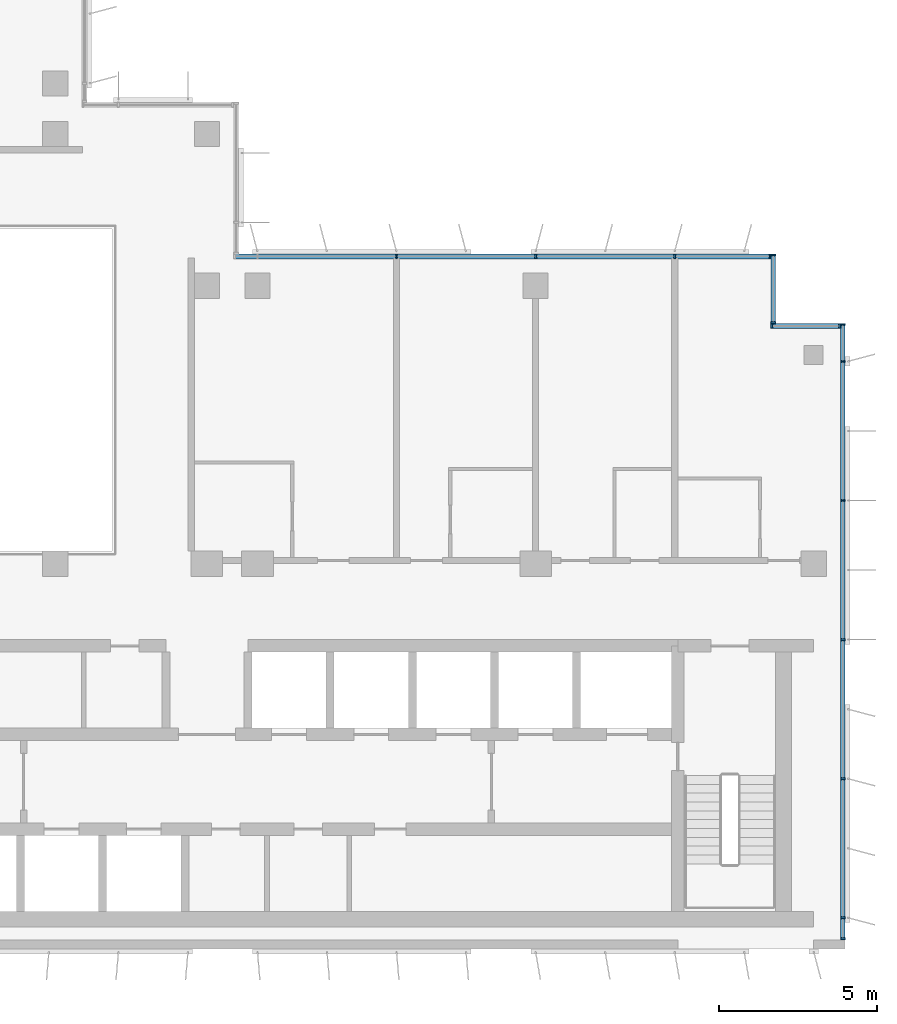
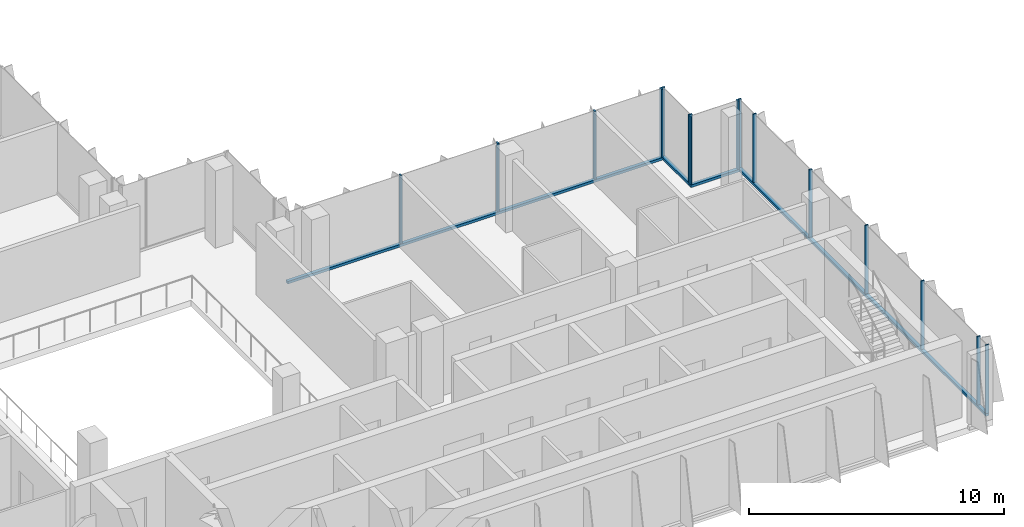
# One storey, part 3 of 15: 19 members, 4 elements without a shape of their own.
"""IFC4 building model written with IfcOpenShell, lengths in metres."""

from ifc_helpers import new_model, si_unit, direction, frame, origin, origin_2d, place, context, subcontext, project, spatial, rectangle, extrude, source, transform, mapped, material, material_profile, profile_set, type_object, element, aggregate, save


model = new_model("IFC4")

# Units and contexts
model_context = context("Model", 3, precision=1e-05, world=origin(), true_north=direction((0.0, 1.0)))
body_context = subcontext(model_context, "Body", "Model", "MODEL_VIEW")
ifc_project = project(units=[si_unit("LENGTHUNIT", "METRE"), si_unit("AREAUNIT", "SQUARE_METRE"), si_unit("VOLUMEUNIT", "CUBIC_METRE"), si_unit("PLANEANGLEUNIT", "RADIAN"), si_unit("MASSUNIT", "GRAM", prefix="KILO")], contexts=[model_context])

# Site, building, storey
site_placement = place(None, origin())
site = spatial("IfcSite", under=ifc_project, at=site_placement, CompositionType="ELEMENT")
building_placement = place(site_placement, origin())
building = spatial("IfcBuilding", under=site, at=building_placement, Name="Kemantara Hotel Tower", CompositionType="ELEMENT")
storey_placement = place(building_placement, frame((0.0, 0.0, 275.89990234375)))
storey = spatial("IfcBuildingStorey", under=building, at=storey_placement, Name="L69", CompositionType="ELEMENT", Elevation=275.89990234375)

# Curtain wall, member
ifc_material_1 = material(Name="Low-E tinted double insulated glass 36 mm", Category="glass")
curtain_wall_type = type_object("IfcCurtainWallType", Name="TOWER CURTAIN WALL, FRONT FACES", PredefinedType="USERDEFINED", material=ifc_material_1)
curtain_wall_1_placement = place(storey_placement, origin())
curtain_wall_1 = element("IfcCurtainWall", 1, at=curtain_wall_1_placement, inside=storey, type_object=curtain_wall_type, Name="CW4 L69 T4-R09-1", ObjectType="TOWER CURTAIN WALL, FRONT FACES", PredefinedType="USERDEFINED")
ifc_material_2 = material(Name="Aluminium 6063-T6 bronze anodised", Category="aluminium")
ifc_material_profile_1 = material_profile(ifc_material_2, rectangle(XDim=0.14990234375, YDim=0.1201171875, at=origin_2d()), Name="TOWER CURTAIN WALL, FRONT FACES TRANSOM")
ifc_profile_set_1 = profile_set([ifc_material_profile_1], Name="Aluminium 6063-T6 bronze anodised")
member_type_1 = type_object("IfcMemberType", Name="TOWER CURTAIN WALL, FRONT FACES TRANSOM", PredefinedType="USERDEFINED", material=ifc_profile_set_1)
member_1_placement = place(storey_placement, frame((45.925048828125, 0.300048828125, 0.06005859375), z_axis=(0.0, 1.0, 0.0), x_axis=(-1.0, 0.0, 0.0)))
member_1 = element("IfcMember", 2, at=member_1_placement, type_object=member_type_1, Name="CW4 sill transom T4-R09-1", ObjectType="TRANSOM", PredefinedType="USERDEFINED", context=body_context, shape_type="SweptSolid", body=[
    extrude(rectangle(XDim=0.14990234375, YDim=0.1201171875, at=origin_2d()), origin(), (0.0, 0.0, 1.0), 19.5),
])

curtain_wall_2_placement = place(storey_placement, origin())
curtain_wall_2 = element("IfcCurtainWall", 3, at=curtain_wall_2_placement, inside=storey, type_object=curtain_wall_type, Name="CW4 L69 T4-R12-1", ObjectType="TOWER CURTAIN WALL, FRONT FACES", PredefinedType="USERDEFINED")
member_2_placement = place(storey_placement, frame((43.64990234375, 21.925048828125, 0.06005859375), z_axis=(-1.0, 0.0, 0.0), x_axis=(0.0, -1.0, 0.0)))
member_2 = element("IfcMember", 4, at=member_2_placement, type_object=member_type_1, Name="CW4 sill transom T4-R12-1", ObjectType="TRANSOM", PredefinedType="USERDEFINED", context=body_context, shape_type="SweptSolid", body=[
    extrude(rectangle(XDim=0.14990234375, YDim=0.1201171875, at=origin_2d()), origin(), (0.0, 0.0, 1.0), 17.0),
])

curtain_wall_3_placement = place(storey_placement, origin())
curtain_wall_3 = element("IfcCurtainWall", 5, at=curtain_wall_3_placement, inside=storey, type_object=curtain_wall_type, Name="CW4 L69 T4-R10-1", ObjectType="TOWER CURTAIN WALL, FRONT FACES", PredefinedType="USERDEFINED")
member_3_placement = place(storey_placement, frame((45.85009765625, 19.72509765625, 0.06005859375), z_axis=(-1.0, 0.0, 0.0), x_axis=(0.0, -1.0, 0.0)))
member_3 = element("IfcMember", 6, at=member_3_placement, type_object=member_type_1, Name="CW4 sill transom T4-R10-1", ObjectType="TRANSOM", PredefinedType="USERDEFINED", context=body_context, shape_type="SweptSolid", body=[
    extrude(rectangle(XDim=0.14990234375, YDim=0.1201171875, at=origin_2d()), origin(), (0.0, 0.0, 1.0), 2.2001953125),
])

curtain_wall_4_placement = place(storey_placement, origin())
curtain_wall_4 = element("IfcCurtainWall", 7, at=curtain_wall_4_placement, inside=storey, type_object=curtain_wall_type, Name="CW4 L69 T4-R11-1", ObjectType="TOWER CURTAIN WALL, FRONT FACES", PredefinedType="USERDEFINED")
member_4_placement = place(storey_placement, frame((43.72509765625, 19.800048828125, 0.06005859375), z_axis=(0.0, 1.0, 0.0), x_axis=(-1.0, 0.0, 0.0)))
member_4 = element("IfcMember", 8, at=member_4_placement, type_object=member_type_1, Name="CW4 sill transom T4-R11-1", ObjectType="TRANSOM", PredefinedType="USERDEFINED", context=body_context, shape_type="SweptSolid", body=[
    extrude(rectangle(XDim=0.14990234375, YDim=0.1201171875, at=origin_2d()), origin(), (0.0, 0.0, 1.0), 2.199951171875),
])

# Member
ifc_material_profile_2 = material_profile(ifc_material_2, rectangle(XDim=0.14990234375, YDim=0.06005859375, at=origin_2d()), Name="TOWER CURTAIN WALL, FRONT FACES MULLION")
ifc_profile_set_2 = profile_set([ifc_material_profile_2], Name="Aluminium 6063-T6 bronze anodised")
member_type_2 = type_object("IfcMemberType", Name="TOWER CURTAIN WALL, FRONT FACES MULLION", PredefinedType="MULLION", material=ifc_profile_set_2)
shared_shape = source(origin(), body_context, "Body", "SweptSolid", [
    extrude(rectangle(XDim=0.14990234375, YDim=0.06005859375, at=origin_2d()), origin(), (0.0, 0.0, 1.0), 3.280029296875),
])
member_5_placement = place(storey_placement, frame((45.925048828125, 0.330078125, 0.1201171875), z_axis=(0.0, 0.0, 1.0), x_axis=(-1.0, 0.0, 0.0)))
member_5 = element("IfcMember", 9, at=member_5_placement, type_object=member_type_2, Name="CW4 mullion T4-R09-1.1", PredefinedType="MULLION", context=body_context, shape_type="MappedRepresentation", body=[
    mapped(shared_shape, transform((0.0, 0.0, 0.0))),
])

member_6_placement = place(storey_placement, frame((45.925048828125, 1.0, 0.1201171875), z_axis=(0.0, 0.0, 1.0), x_axis=(-1.0, 0.0, 0.0)))
member_6 = element("IfcMember", 10, at=member_6_placement, type_object=member_type_2, Name="CW4 mullion T4-R09-1.2", PredefinedType="MULLION", context=body_context, shape_type="MappedRepresentation", body=[
    mapped(shared_shape, transform((0.0, 0.0, 0.0))),
])

member_7_placement = place(storey_placement, frame((45.925048828125, 5.39990234375, 0.1201171875), z_axis=(0.0, 0.0, 1.0), x_axis=(-1.0, 0.0, 0.0)))
member_7 = element("IfcMember", 11, at=member_7_placement, type_object=member_type_2, Name="CW4 mullion T4-R09-1.3", PredefinedType="MULLION", context=body_context, shape_type="MappedRepresentation", body=[
    mapped(shared_shape, transform((0.0, 0.0, 0.0))),
])

member_8_placement = place(storey_placement, frame((45.925048828125, 9.800048828125, 0.1201171875), z_axis=(0.0, 0.0, 1.0), x_axis=(-1.0, 0.0, 0.0)))
member_8 = element("IfcMember", 12, at=member_8_placement, type_object=member_type_2, Name="CW4 mullion T4-R09-1.4", PredefinedType="MULLION", context=body_context, shape_type="MappedRepresentation", body=[
    mapped(shared_shape, transform((0.0, 0.0, 0.0))),
])

member_9_placement = place(storey_placement, frame((45.925048828125, 14.199951171875, 0.1201171875), z_axis=(0.0, 0.0, 1.0), x_axis=(-1.0, 0.0, 0.0)))
member_9 = element("IfcMember", 13, at=member_9_placement, type_object=member_type_2, Name="CW4 mullion T4-R09-1.5", PredefinedType="MULLION", context=body_context, shape_type="MappedRepresentation", body=[
    mapped(shared_shape, transform((0.0, 0.0, 0.0))),
])

member_10_placement = place(storey_placement, frame((45.925048828125, 18.60009765625, 0.1201171875), z_axis=(0.0, 0.0, 1.0), x_axis=(-1.0, 0.0, 0.0)))
member_10 = element("IfcMember", 14, at=member_10_placement, type_object=member_type_2, Name="CW4 mullion T4-R09-1.6", PredefinedType="MULLION", context=body_context, shape_type="MappedRepresentation", body=[
    mapped(shared_shape, transform((0.0, 0.0, 0.0))),
])

member_11_placement = place(storey_placement, frame((45.925048828125, 19.77001953125, 0.1201171875), z_axis=(0.0, 0.0, 1.0), x_axis=(-1.0, 0.0, 0.0)))
member_11 = element("IfcMember", 15, at=member_11_placement, type_object=member_type_2, Name="CW4 mullion T4-R09-1.7", PredefinedType="MULLION", context=body_context, shape_type="MappedRepresentation", body=[
    mapped(shared_shape, transform((0.0, 0.0, 0.0))),
])

aggregate(curtain_wall_1, [member_1, member_5, member_6, member_7, member_8, member_9, member_10, member_11])

member_12_placement = place(storey_placement, frame((43.6201171875, 21.925048828125, 0.1201171875), z_axis=(0.0, 0.0, 1.0), x_axis=(0.0, -1.0, 0.0)))
member_12 = element("IfcMember", 16, at=member_12_placement, type_object=member_type_2, Name="CW4 mullion T4-R12-1.1", PredefinedType="MULLION", context=body_context, shape_type="MappedRepresentation", body=[
    mapped(shared_shape, transform((0.0, 0.0, 0.0))),
])

member_13_placement = place(storey_placement, frame((40.60009765625, 21.925048828125, 0.1201171875), z_axis=(0.0, 0.0, 1.0), x_axis=(0.0, -1.0, 0.0)))
member_13 = element("IfcMember", 17, at=member_13_placement, type_object=member_type_2, Name="CW4 mullion T4-R12-1.2", PredefinedType="MULLION", context=body_context, shape_type="MappedRepresentation", body=[
    mapped(shared_shape, transform((0.0, 0.0, 0.0))),
])

member_14_placement = place(storey_placement, frame((36.199951171875, 21.925048828125, 0.1201171875), z_axis=(0.0, 0.0, 1.0), x_axis=(0.0, -1.0, 0.0)))
member_14 = element("IfcMember", 18, at=member_14_placement, type_object=member_type_2, Name="CW4 mullion T4-R12-1.3", PredefinedType="MULLION", context=body_context, shape_type="MappedRepresentation", body=[
    mapped(shared_shape, transform((0.0, 0.0, 0.0))),
])

member_15_placement = place(storey_placement, frame((31.800048828125, 21.925048828125, 0.1201171875), z_axis=(0.0, 0.0, 1.0), x_axis=(0.0, -1.0, 0.0)))
member_15 = element("IfcMember", 19, at=member_15_placement, type_object=member_type_2, Name="CW4 mullion T4-R12-1.4", PredefinedType="MULLION", context=body_context, shape_type="MappedRepresentation", body=[
    mapped(shared_shape, transform((0.0, 0.0, 0.0))),
])

aggregate(curtain_wall_2, [member_2, member_12, member_13, member_14, member_15])

member_16_placement = place(storey_placement, frame((45.820068359375, 19.72509765625, 0.1201171875), z_axis=(0.0, 0.0, 1.0), x_axis=(0.0, -1.0, 0.0)))
member_16 = element("IfcMember", 20, at=member_16_placement, type_object=member_type_2, Name="CW4 mullion T4-R10-1.1", PredefinedType="MULLION", context=body_context, shape_type="MappedRepresentation", body=[
    mapped(shared_shape, transform((0.0, 0.0, 0.0))),
])

member_17_placement = place(storey_placement, frame((43.679931640625, 19.72509765625, 0.1201171875), z_axis=(0.0, 0.0, 1.0), x_axis=(0.0, -1.0, 0.0)))
member_17 = element("IfcMember", 21, at=member_17_placement, type_object=member_type_2, Name="CW4 mullion T4-R10-1.2", PredefinedType="MULLION", context=body_context, shape_type="MappedRepresentation", body=[
    mapped(shared_shape, transform((0.0, 0.0, 0.0))),
])

aggregate(curtain_wall_3, [member_3, member_16, member_17])

member_18_placement = place(storey_placement, frame((43.72509765625, 19.830078125, 0.1201171875), z_axis=(0.0, 0.0, 1.0), x_axis=(-1.0, 0.0, 0.0)))
member_18 = element("IfcMember", 22, at=member_18_placement, type_object=member_type_2, Name="CW4 mullion T4-R11-1.1", PredefinedType="MULLION", context=body_context, shape_type="MappedRepresentation", body=[
    mapped(shared_shape, transform((0.0, 0.0, 0.0))),
])

member_19_placement = place(storey_placement, frame((43.72509765625, 21.969970703125, 0.1201171875), z_axis=(0.0, 0.0, 1.0), x_axis=(-1.0, 0.0, 0.0)))
member_19 = element("IfcMember", 23, at=member_19_placement, type_object=member_type_2, Name="CW4 mullion T4-R11-1.2", PredefinedType="MULLION", context=body_context, shape_type="MappedRepresentation", body=[
    mapped(shared_shape, transform((0.0, 0.0, 0.0))),
])

aggregate(curtain_wall_4, [member_4, member_18, member_19])

save(model, "model.ifc")
